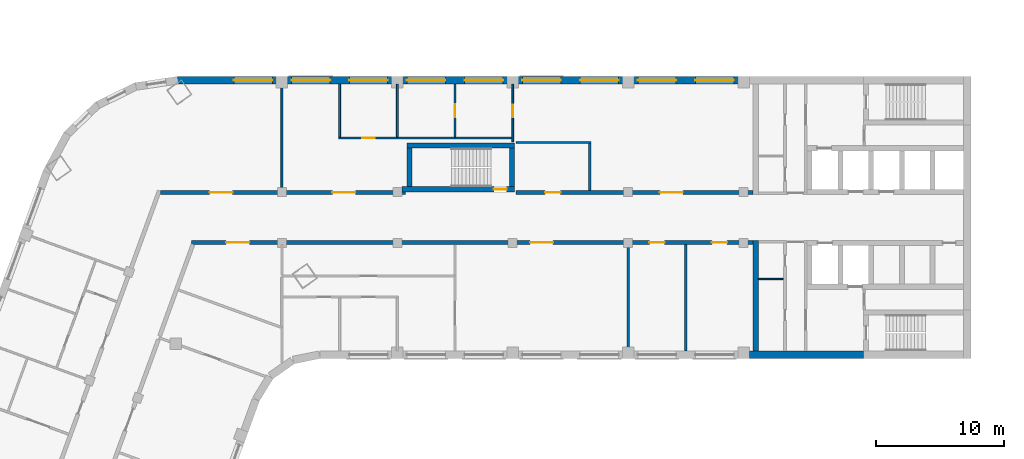
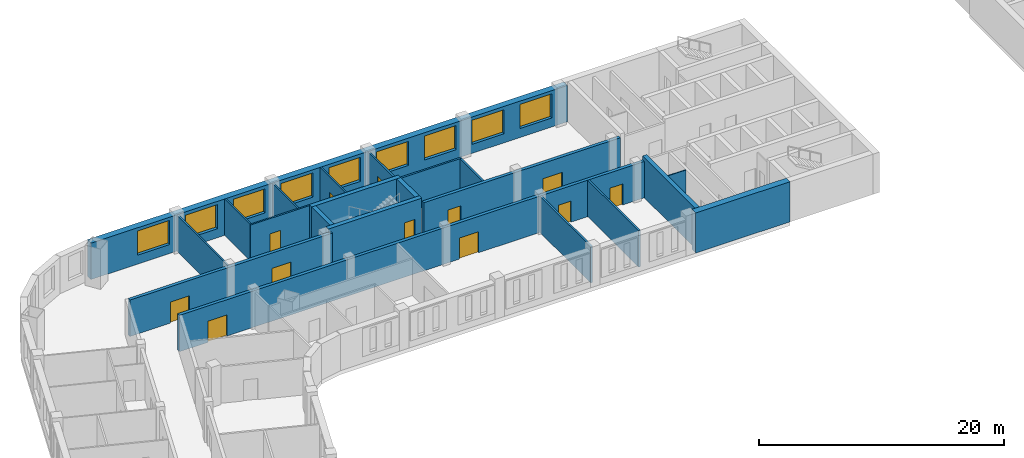
# One storey, part 5 of 12: 21 walls, 12 doors, 9 windows, 21 openings.
"""IFC4 building model written with IfcOpenShell, lengths in metres."""

from ifc_helpers import new_model, si_unit, direction, frame, frame_2d, origin, place, context, subcontext, project, spatial, rectangle, extrude, material, layer, layer_set, type_object, element, fill, save


model = new_model("IFC4")

# Units and contexts
model_context = context("Model", 3, precision=1e-05, world=origin(), true_north=direction((0.0, 1.0)))
body_context = subcontext(model_context, "Body", "Model", "MODEL_VIEW")
ifc_project = project(units=[si_unit("LENGTHUNIT", "METRE"), si_unit("AREAUNIT", "SQUARE_METRE"), si_unit("VOLUMEUNIT", "CUBIC_METRE"), si_unit("PLANEANGLEUNIT", "RADIAN"), si_unit("MASSUNIT", "GRAM", prefix="KILO")], contexts=[model_context])

# Site, building, storey
site_placement = place(None, origin())
site = spatial("IfcSite", under=ifc_project, at=site_placement, CompositionType="ELEMENT")
building_placement = place(site_placement, origin())
building = spatial("IfcBuilding", under=site, at=building_placement, Name="Skarvind Civic Tower", CompositionType="ELEMENT")
storey_placement = place(building_placement, frame((0.0, 0.0, 51.5)))
storey = spatial("IfcBuildingStorey", under=building, at=storey_placement, Name="L11", CompositionType="ELEMENT", Elevation=51.5)

# Walls
ifc_material_1 = material(Name="Acoustic gypsum board on steel studs", Category="steel")
ifc_layer_1 = layer(ifc_material_1, 0.175048828125)
ifc_layer_set_1 = layer_set([ifc_layer_1], Name="ACOUSTIC MEETING-ROOM PARTITION 175")
wall_type_1 = type_object("IfcWallType", Name="ACOUSTIC MEETING-ROOM PARTITION 175", PredefinedType="PARTITIONING", material=ifc_layer_set_1)
wall_1_placement = place(storey_placement, frame((72.5, 133.85009765625, 0.0), z_axis=(0.0, 0.0, 1.0), x_axis=(1.0, 0.0, 0.0)))
element("IfcWall", 1, at=wall_1_placement, inside=storey, type_object=wall_type_1, Name="Partition 11.039", PredefinedType="PARTITIONING", context=body_context, shape_type="SweptSolid", body=[
    extrude(rectangle(XDim=5.837890625, YDim=0.175048828125, at=frame_2d((2.9189453125, 0.0))), origin(), (0.0, 0.0, 1.0), 3.625),
])
wall_2_placement = place(storey_placement, frame((78.25, 133.761962890625, 0.0), z_axis=(0.0, 0.0, 1.0), x_axis=(0.0, -1.0, 0.0)))
element("IfcWall", 2, at=wall_2_placement, inside=storey, type_object=wall_type_1, Name="Partition 11.040", PredefinedType="PARTITIONING", context=body_context, shape_type="SweptSolid", body=[
    extrude(rectangle(XDim=3.661865234375, YDim=0.175048828125, at=frame_2d((1.8310546875, 0.0))), origin(), (0.0, 0.0, 1.0), 3.625),
])
for number, where, z_axis, x_axis, name in (
    (3, (81.25, 117.60009765625, 0.0), (0.0, 0.0, 1.0), (0.0, 1.0, 0.0), "Partition 11.041"),
    (4, (85.75, 117.60009765625, 0.0), (0.0, 0.0, 1.0), (0.0, 1.0, 0.0), "Partition 11.042"),
):
    element("IfcWall", number, at=place(storey_placement, frame(where, z_axis=z_axis, x_axis=x_axis)), inside=storey, type_object=wall_type_1, Name=name, PredefinedType="PARTITIONING", context=body_context, shape_type="SweptSolid", body=[
        extrude(rectangle(XDim=8.2998046875, YDim=0.175048828125, at=frame_2d((4.14990234375, 0.0))), origin(), (0.0, 0.0, 1.0), 3.625),
    ])

# Wall, openings, doors
ifc_material_2 = material(Name="Fire-rated gypsum board on steel studs", Category="steel")
ifc_layer_2 = layer(ifc_material_2, 0.300048828125)
ifc_layer_set_2 = layer_set([ifc_layer_2], Name="CORRIDOR WALL 300")
wall_type_2 = type_object("IfcWallType", Name="CORRIDOR WALL 300", PredefinedType="PARTITIONING", material=ifc_layer_set_2)
wall_3_placement = place(storey_placement, frame((44.784912109375, 129.949951171875, 0.0), z_axis=(0.0, 0.0, 1.0), x_axis=(1.0, 0.0, 0.0)))
wall_3 = element("IfcWall", 5, at=wall_3_placement, inside=storey, type_object=wall_type_2, Name="Partition 11.016", PredefinedType="PARTITIONING", context=body_context, shape_type="SweptSolid", body=[
    extrude(rectangle(XDim=19.114990234375, YDim=0.300048828125, at=frame_2d((9.5576171875, 0.0))), origin(), (0.0, 0.0, 1.0), 3.625),
])
opening_1_placement = place(wall_3_placement, frame((13.389892578125, 0.0, 0.0)))
opening_1 = element("IfcOpeningElement", 6, at=opening_1_placement, cuts=wall_3, Name="Opening L11-D004", PredefinedType="OPENING", context=body_context, shape_type="SweptSolid", body=[
    extrude(rectangle(XDim=1.800048828125, YDim=2.10009765625, at=frame_2d((0.89990234375, 1.050048828125))), frame((0.0, 0.159912109375, 0.0), z_axis=(0.0, -1.0, 0.0), x_axis=(1.0, 0.0, 0.0)), (0.0, 0.0, 1.0), 0.320068359375),
])
opening_2_placement = place(wall_3_placement, frame((3.822509765625, 0.0, 0.0)))
opening_2 = element("IfcOpeningElement", 7, at=opening_2_placement, cuts=wall_3, Name="Opening L11-D023", PredefinedType="OPENING", context=body_context, shape_type="SweptSolid", body=[
    extrude(rectangle(XDim=1.800048828125, YDim=2.10009765625, at=frame_2d((0.89990234375, 1.050048828125))), frame((0.0, 0.159912109375, 0.0), z_axis=(0.0, -1.0, 0.0), x_axis=(1.0, 0.0, 0.0)), (0.0, 0.0, 1.0), 0.320068359375),
])
ifc_material_3 = material(Name="Fire-rated timber door leaf", Category="wood")
door_type_1 = type_object("IfcDoorType", Name="FD4 1800x2100", OperationType="NOTDEFINED", PredefinedType="DOOR", material=ifc_material_3)
door_1_placement = place(opening_1_placement, origin())
door_1 = element("IfcDoor", 8, at=door_1_placement, inside=storey, type_object=door_type_1, Name="Door L11-D004", OperationType="DOUBLE_DOOR_SINGLE_SWING", OverallHeight=2.10009765625, OverallWidth=1.800048828125, PredefinedType="DOOR", context=body_context, shape_type="SweptSolid", body=[
    extrude(rectangle(XDim=1.800048828125, YDim=2.10009765625, at=frame_2d((0.89990234375, 1.050048828125))), frame((0.0, 0.02490234375, 0.0), z_axis=(0.0, -1.0, 0.0), x_axis=(1.0, 0.0, 0.0)), (0.0, 0.0, 1.0), 0.050048828125),
])
fill(opening_1, door_1)
door_2_placement = place(opening_2_placement, origin())
door_2 = element("IfcDoor", 9, at=door_2_placement, inside=storey, type_object=door_type_1, Name="Door L11-D023", OperationType="DOUBLE_DOOR_SINGLE_SWING", OverallHeight=2.10009765625, OverallWidth=1.800048828125, PredefinedType="DOOR", context=body_context, shape_type="SweptSolid", body=[
    extrude(rectangle(XDim=1.800048828125, YDim=2.10009765625, at=frame_2d((0.89990234375, 1.050048828125))), frame((0.0, 0.02490234375, 0.0), z_axis=(0.0, -1.0, 0.0), x_axis=(1.0, 0.0, 0.0)), (0.0, 0.0, 1.0), 0.050048828125),
])
fill(opening_2, door_2)

wall_4_placement = place(storey_placement, frame((72.5, 129.949951171875, 0.0), z_axis=(0.0, 0.0, 1.0), x_axis=(1.0, 0.0, 0.0)))
wall_4 = element("IfcWall", 10, at=wall_4_placement, inside=storey, type_object=wall_type_2, Name="Partition 11.038", PredefinedType="PARTITIONING", context=body_context, shape_type="SweptSolid", body=[
    extrude(rectangle(XDim=18.5, YDim=0.300048828125, at=frame_2d((9.25, 0.0))), origin(), (0.0, 0.0, 1.0), 3.625),
])
opening_3_placement = place(wall_4_placement, frame((2.27490234375, 0.0, 0.0)))
opening_3 = element("IfcOpeningElement", 11, at=opening_3_placement, cuts=wall_4, Name="Opening L11-D001", PredefinedType="OPENING", context=body_context, shape_type="SweptSolid", body=[
    extrude(rectangle(XDim=1.199951171875, YDim=2.10009765625, at=frame_2d((0.60009765625, 1.050048828125))), frame((0.0, 0.159912109375, 0.0), z_axis=(0.0, -1.0, 0.0), x_axis=(1.0, 0.0, 0.0)), (0.0, 0.0, 1.0), 0.320068359375),
])
opening_4_placement = place(wall_4_placement, frame((11.22509765625, 0.0, 0.0)))
opening_4 = element("IfcOpeningElement", 12, at=opening_4_placement, cuts=wall_4, Name="Opening L11-D002", PredefinedType="OPENING", context=body_context, shape_type="SweptSolid", body=[
    extrude(rectangle(XDim=1.800048828125, YDim=2.10009765625, at=frame_2d((0.89990234375, 1.050048828125))), frame((0.0, 0.159912109375, 0.0), z_axis=(0.0, -1.0, 0.0), x_axis=(1.0, 0.0, 0.0)), (0.0, 0.0, 1.0), 0.320068359375),
])
door_3_placement = place(opening_4_placement, origin())
door_3 = element("IfcDoor", 13, at=door_3_placement, inside=storey, type_object=door_type_1, Name="Door L11-D002", OperationType="DOUBLE_DOOR_SINGLE_SWING", OverallHeight=2.10009765625, OverallWidth=1.800048828125, PredefinedType="DOOR", context=body_context, shape_type="SweptSolid", body=[
    extrude(rectangle(XDim=1.800048828125, YDim=2.10009765625, at=frame_2d((0.89990234375, 1.050048828125))), frame((0.0, 0.02490234375, 0.0), z_axis=(0.0, -1.0, 0.0), x_axis=(1.0, 0.0, 0.0)), (0.0, 0.0, 1.0), 0.050048828125),
])
fill(opening_4, door_3)
door_type_2 = type_object("IfcDoorType", Name="FD6 1200x2100 DOUBLE", OperationType="NOTDEFINED", PredefinedType="DOOR", material=ifc_material_3)
door_4_placement = place(opening_3_placement, origin())
door_4 = element("IfcDoor", 14, at=door_4_placement, inside=storey, type_object=door_type_2, Name="Door L11-D001", OperationType="DOUBLE_DOOR_SINGLE_SWING", OverallHeight=2.10009765625, OverallWidth=1.199951171875, PredefinedType="DOOR", context=body_context, shape_type="SweptSolid", body=[
    extrude(rectangle(XDim=1.199951171875, YDim=2.10009765625, at=frame_2d((0.60009765625, 1.050048828125))), frame((0.0, 0.02490234375, 0.0), z_axis=(0.0, -1.0, 0.0), x_axis=(1.0, 0.0, 0.0)), (0.0, 0.0, 1.0), 0.050048828125),
])
fill(opening_3, door_4)

wall_5_placement = place(storey_placement, frame((91.0, 126.050048828125, 0.0), z_axis=(0.0, 0.0, 1.0), x_axis=(-1.0, 0.0, 0.0)))
wall_5 = element("IfcWall", 15, at=wall_5_placement, inside=storey, type_object=wall_type_2, Name="Partition 11.043", PredefinedType="PARTITIONING", context=body_context, shape_type="SweptSolid", body=[
    extrude(rectangle(XDim=43.784912109375, YDim=0.300048828125, at=frame_2d((21.892578125, 0.0))), origin(), (0.0, 0.0, 1.0), 3.625),
])
opening_5_placement = place(wall_5_placement, frame((2.02490234375, 0.0, 0.0)))
opening_5 = element("IfcOpeningElement", 16, at=opening_5_placement, cuts=wall_5, Name="Opening L11-D005", PredefinedType="OPENING", context=body_context, shape_type="SweptSolid", body=[
    extrude(rectangle(XDim=1.199951171875, YDim=2.10009765625, at=frame_2d((0.60009765625, 1.050048828125))), frame((0.0, 0.159912109375, 0.0), z_axis=(0.0, -1.0, 0.0), x_axis=(1.0, 0.0, 0.0)), (0.0, 0.0, 1.0), 0.320068359375),
])
opening_6_placement = place(wall_5_placement, frame((6.89990234375, 0.0, 0.0)))
opening_6 = element("IfcOpeningElement", 17, at=opening_6_placement, cuts=wall_5, Name="Opening L11-D006", PredefinedType="OPENING", context=body_context, shape_type="SweptSolid", body=[
    extrude(rectangle(XDim=1.199951171875, YDim=2.10009765625, at=frame_2d((0.60009765625, 1.050048828125))), frame((0.0, 0.159912109375, 0.0), z_axis=(0.0, -1.0, 0.0), x_axis=(1.0, 0.0, 0.0)), (0.0, 0.0, 1.0), 0.320068359375),
])
opening_7_placement = place(wall_5_placement, frame((15.60009765625, 0.0, 0.0)))
opening_7 = element("IfcOpeningElement", 18, at=opening_7_placement, cuts=wall_5, Name="Opening L11-D007", PredefinedType="OPENING", context=body_context, shape_type="SweptSolid", body=[
    extrude(rectangle(XDim=1.800048828125, YDim=2.10009765625, at=frame_2d((0.89990234375, 1.050048828125))), frame((0.0, 0.159912109375, 0.0), z_axis=(0.0, -1.0, 0.0), x_axis=(1.0, 0.0, 0.0)), (0.0, 0.0, 1.0), 0.320068359375),
])
opening_8_placement = place(wall_5_placement, frame((39.2958984375, 0.0, 0.0)))
opening_8 = element("IfcOpeningElement", 19, at=opening_8_placement, cuts=wall_5, Name="Opening L11-D024", PredefinedType="OPENING", context=body_context, shape_type="SweptSolid", body=[
    extrude(rectangle(XDim=1.800048828125, YDim=2.10009765625, at=frame_2d((0.89990234375, 1.050048828125))), frame((0.0, 0.159912109375, 0.0), z_axis=(0.0, -1.0, 0.0), x_axis=(1.0, 0.0, 0.0)), (0.0, 0.0, 1.0), 0.320068359375),
])
door_5_placement = place(opening_7_placement, origin())
door_5 = element("IfcDoor", 20, at=door_5_placement, inside=storey, type_object=door_type_1, Name="Door L11-D007", OperationType="DOUBLE_DOOR_SINGLE_SWING", OverallHeight=2.10009765625, OverallWidth=1.800048828125, PredefinedType="DOOR", context=body_context, shape_type="SweptSolid", body=[
    extrude(rectangle(XDim=1.800048828125, YDim=2.10009765625, at=frame_2d((0.89990234375, 1.050048828125))), frame((0.0, 0.02490234375, 0.0), z_axis=(0.0, -1.0, 0.0), x_axis=(1.0, 0.0, 0.0)), (0.0, 0.0, 1.0), 0.050048828125),
])
fill(opening_7, door_5)
door_6_placement = place(opening_8_placement, origin())
door_6 = element("IfcDoor", 21, at=door_6_placement, inside=storey, type_object=door_type_1, Name="Door L11-D024", OperationType="DOUBLE_DOOR_SINGLE_SWING", OverallHeight=2.10009765625, OverallWidth=1.800048828125, PredefinedType="DOOR", context=body_context, shape_type="SweptSolid", body=[
    extrude(rectangle(XDim=1.800048828125, YDim=2.10009765625, at=frame_2d((0.89990234375, 1.050048828125))), frame((0.0, 0.02490234375, 0.0), z_axis=(0.0, -1.0, 0.0), x_axis=(1.0, 0.0, 0.0)), (0.0, 0.0, 1.0), 0.050048828125),
])
fill(opening_8, door_6)
door_7_placement = place(opening_5_placement, origin())
door_7 = element("IfcDoor", 22, at=door_7_placement, inside=storey, type_object=door_type_2, Name="Door L11-D005", OperationType="DOUBLE_DOOR_SINGLE_SWING", OverallHeight=2.10009765625, OverallWidth=1.199951171875, PredefinedType="DOOR", context=body_context, shape_type="SweptSolid", body=[
    extrude(rectangle(XDim=1.199951171875, YDim=2.10009765625, at=frame_2d((0.60009765625, 1.050048828125))), frame((0.0, 0.02490234375, 0.0), z_axis=(0.0, -1.0, 0.0), x_axis=(1.0, 0.0, 0.0)), (0.0, 0.0, 1.0), 0.050048828125),
])
fill(opening_5, door_7)
door_8_placement = place(opening_6_placement, origin())
door_8 = element("IfcDoor", 23, at=door_8_placement, inside=storey, type_object=door_type_2, Name="Door L11-D006", OperationType="DOUBLE_DOOR_SINGLE_SWING", OverallHeight=2.10009765625, OverallWidth=1.199951171875, PredefinedType="DOOR", context=body_context, shape_type="SweptSolid", body=[
    extrude(rectangle(XDim=1.199951171875, YDim=2.10009765625, at=frame_2d((0.60009765625, 1.050048828125))), frame((0.0, 0.02490234375, 0.0), z_axis=(0.0, -1.0, 0.0), x_axis=(1.0, 0.0, 0.0)), (0.0, 0.0, 1.0), 0.050048828125),
])
fill(opening_6, door_8)

# Walls
ifc_material_4 = material(Name="Fire-rated plasterboard partition")
ifc_layer_3 = layer(ifc_material_4, 0.10009765625)
ifc_layer_set_3 = layer_set([ifc_layer_3], Name="Core partition wall 100")
wall_type_3 = type_object("IfcWallType", Name="Core partition wall 100", PredefinedType="PARTITIONING", material=ifc_layer_set_3)
wall_6_placement = place(storey_placement, frame((93.35009765625, 123.199951171875, 0.0), z_axis=(0.0, 0.0, 1.0), x_axis=(-1.0, 0.0, 0.0)))
element("IfcWall", 24, at=wall_6_placement, inside=storey, type_object=wall_type_3, Name="Core wall C1", PredefinedType="PARTITIONING", context=body_context, shape_type="SweptSolid", body=[
    extrude(rectangle(XDim=1.9501953125, YDim=0.10009765625, at=frame_2d((0.97509765625, 0.0))), origin(), (0.0, 0.0, 1.0), 3.625),
])
ifc_material_5 = material(Name="Concrete C80", Category="concrete")
ifc_layer_4 = layer(ifc_material_5, 0.39990234375)
ifc_layer_set_4 = layer_set([ifc_layer_4], Name="Core wall 400 C80")
wall_type_4 = type_object("IfcWallType", Name="Core wall 400 C80", PredefinedType="SHEAR", material=ifc_layer_set_4)
wall_7_placement = place(storey_placement, frame((91.199951171875, 126.199951171875, 0.0), z_axis=(0.0, 0.0, 1.0), x_axis=(0.0, -1.0, 0.0)))
element("IfcWall", 25, at=wall_7_placement, inside=storey, type_object=wall_type_4, Name="Core wall C1 north inner face L11", PredefinedType="SHEAR", context=body_context, shape_type="SweptSolid", body=[
    extrude(rectangle(XDim=8.599853515625, YDim=0.39990234375, at=frame_2d((4.2998046875, 0.0))), origin(), (0.0, 0.0, 1.0), 4.0),
])

# Wall, opening, door
wall_8_placement = place(storey_placement, frame((63.60009765625, 130.199951171875, 0.0), z_axis=(0.0, 0.0, 1.0), x_axis=(1.0, 0.0, 0.0)))
wall_8 = element("IfcWall", 26, at=wall_8_placement, inside=storey, type_object=wall_type_4, Name="Core wall CM inner L11", PredefinedType="SHEAR", context=body_context, shape_type="SweptSolid", body=[
    extrude(rectangle(XDim=8.7998046875, YDim=0.39990234375, at=frame_2d((4.39990234375, 0.0))), origin(), (0.0, 0.0, 1.0), 4.0),
])
opening_9_placement = place(wall_8_placement, frame((7.175048828125, 0.0, 0.0)))
opening_9 = element("IfcOpeningElement", 27, at=opening_9_placement, cuts=wall_8, Name="Opening D-L11-CM-01", PredefinedType="OPENING", context=body_context, shape_type="SweptSolid", body=[
    extrude(rectangle(XDim=1.0, YDim=2.10009765625, at=frame_2d((0.5, 1.050048828125))), frame((0.0, 0.2099609375, 0.0), z_axis=(0.0, -1.0, 0.0), x_axis=(1.0, 0.0, 0.0)), (0.0, 0.0, 1.0), 0.419921875),
])
ifc_material_6 = material(Name="Fire-rated steel door", Category="steel")
door_type_3 = type_object("IfcDoorType", Name="Fire door 1000", OperationType="NOTDEFINED", PredefinedType="DOOR", material=ifc_material_6)
door_9_placement = place(opening_9_placement, origin())
door_9 = element("IfcDoor", 28, at=door_9_placement, inside=storey, type_object=door_type_3, Name="Fire door", OperationType="SINGLE_SWING_LEFT", OverallHeight=2.10009765625, OverallWidth=1.0, PredefinedType="DOOR", context=body_context, shape_type="SweptSolid", body=[
    extrude(rectangle(XDim=1.0, YDim=2.10009765625, at=frame_2d((0.5, 1.050048828125))), frame((0.0, 0.02490234375, 0.0), z_axis=(0.0, -1.0, 0.0), x_axis=(1.0, 0.0, 0.0)), (0.0, 0.0, 1.0), 0.050048828125),
])
fill(opening_9, door_9)

# Walls
wall_9_placement = place(storey_placement, frame((64.0, 133.60009765625, 0.0), z_axis=(0.0, 0.0, 1.0), x_axis=(1.0, 0.0, 0.0)))
element("IfcWall", 29, at=wall_9_placement, inside=storey, type_object=wall_type_4, Name="Core wall CM outer L11", PredefinedType="SHEAR", context=body_context, shape_type="SweptSolid", body=[
    extrude(rectangle(XDim=8.39990234375, YDim=0.39990234375, at=frame_2d((4.199951171875, 0.0))), origin(), (0.0, 0.0, 1.0), 4.0),
])
for number, where, z_axis, x_axis, name in (
    (30, (64.199951171875, 130.39990234375, 0.0), (0.0, 0.0, 1.0), (0.0, 1.0, 0.0), "Core wall CM west L11"),
    (31, (72.199951171875, 130.39990234375, 0.0), (0.0, 0.0, 1.0), (0.0, 1.0, 0.0), "Core wall CM end L11"),
):
    element("IfcWall", number, at=place(storey_placement, frame(where, z_axis=z_axis, x_axis=x_axis)), inside=storey, type_object=wall_type_4, Name=name, PredefinedType="SHEAR", context=body_context, shape_type="SweptSolid", body=[
        extrude(rectangle(XDim=3.0, YDim=0.39990234375, at=frame_2d((1.5, 0.0))), origin(), (0.0, 0.0, 1.0), 4.0),
    ])
ifc_layer_5 = layer(ifc_material_5, 0.60009765625)
ifc_layer_set_5 = layer_set([ifc_layer_5], Name="Core wall 600 C80")
wall_type_5 = type_object("IfcWallType", Name="Core wall 600 C80", PredefinedType="SHEAR", material=ifc_layer_set_5)
wall_10_placement = place(storey_placement, frame((99.60009765625, 117.300048828125, 0.0), z_axis=(0.0, 0.0, 1.0), x_axis=(-1.0, 0.0, 0.0)))
element("IfcWall", 32, at=wall_10_placement, inside=storey, type_object=wall_type_5, Name="Core wall C1 north side L11", PredefinedType="SHEAR", context=body_context, shape_type="SweptSolid", body=[
    extrude(rectangle(XDim=8.900146484375, YDim=0.60009765625, at=frame_2d((4.4501953125, 0.0))), origin(), (0.0, 0.0, 1.0), 4.0),
])
ifc_material_7 = material(Name="Plasterboard partition on steel studs", Category="steel")
ifc_layer_6 = layer(ifc_material_7, 0.14990234375)
ifc_layer_set_6 = layer_set([ifc_layer_6], Name="PARTITION 150")
wall_type_6 = type_object("IfcWallType", Name="PARTITION 150", PredefinedType="PARTITIONING", material=ifc_layer_set_6)
wall_11_placement = place(storey_placement, frame((54.25, 138.39990234375, 0.0), z_axis=(0.0, 0.0, 1.0), x_axis=(0.0, -1.0, 0.0)))
element("IfcWall", 33, at=wall_11_placement, inside=storey, type_object=wall_type_6, Name="Partition 11.028", PredefinedType="PARTITIONING", context=body_context, shape_type="SweptSolid", body=[
    extrude(rectangle(XDim=8.2998046875, YDim=0.14990234375, at=frame_2d((4.14990234375, 0.0))), origin(), (0.0, 0.0, 1.0), 3.625),
])

# Wall, opening, door
wall_12_placement = place(storey_placement, frame((72.175048828125, 134.199951171875, 0.0), z_axis=(0.0, 0.0, 1.0), x_axis=(-1.0, 0.0, 0.0)))
wall_12 = element("IfcWall", 34, at=wall_12_placement, inside=storey, type_object=wall_type_6, Name="Partition 11.030", PredefinedType="PARTITIONING", context=body_context, shape_type="SweptSolid", body=[
    extrude(rectangle(XDim=13.5, YDim=0.14990234375, at=frame_2d((6.75, 0.0))), origin(), (0.0, 0.0, 1.0), 3.625),
])
opening_10_placement = place(wall_12_placement, frame((10.675048828125, 0.0, 0.0)))
opening_10 = element("IfcOpeningElement", 35, at=opening_10_placement, cuts=wall_12, Name="Opening L11-D003", PredefinedType="OPENING", context=body_context, shape_type="SweptSolid", body=[
    extrude(rectangle(XDim=1.0, YDim=2.10009765625, at=frame_2d((0.5, 1.050048828125))), frame((0.0, 0.0849609375, 0.0), z_axis=(0.0, -1.0, 0.0), x_axis=(1.0, 0.0, 0.0)), (0.0, 0.0, 1.0), 0.169921875),
])
ifc_material_8 = material(Name="Timber door leaf", Category="wood")
door_type_4 = type_object("IfcDoorType", Name="D1 1000x2100", OperationType="NOTDEFINED", PredefinedType="DOOR", material=ifc_material_8)
door_10_placement = place(opening_10_placement, origin())
door_10 = element("IfcDoor", 36, at=door_10_placement, inside=storey, type_object=door_type_4, Name="Door L11-D003", OperationType="SINGLE_SWING_LEFT", OverallHeight=2.10009765625, OverallWidth=1.0, PredefinedType="DOOR", context=body_context, shape_type="SweptSolid", body=[
    extrude(rectangle(XDim=1.0, YDim=2.10009765625, at=frame_2d((0.5, 1.050048828125))), frame((0.0, 0.02490234375, 0.0), z_axis=(0.0, -1.0, 0.0), x_axis=(1.0, 0.0, 0.0)), (0.0, 0.0, 1.0), 0.050048828125),
])
fill(opening_10, door_10)

# Walls
for number, where, z_axis, x_axis, name in (
    (37, (58.75, 134.27490234375, 0.0), (0.0, 0.0, 1.0), (0.0, 1.0, 0.0), "Partition 11.031"),
    (38, (63.25, 134.27490234375, 0.0), (0.0, 0.0, 1.0), (0.0, 1.0, 0.0), "Partition 11.033"),
):
    element("IfcWall", number, at=place(storey_placement, frame(where, z_axis=z_axis, x_axis=x_axis)), inside=storey, type_object=wall_type_6, Name=name, PredefinedType="PARTITIONING", context=body_context, shape_type="SweptSolid", body=[
        extrude(rectangle(XDim=4.125, YDim=0.14990234375, at=frame_2d((2.0625, 0.0))), origin(), (0.0, 0.0, 1.0), 3.625),
    ])

# Wall, opening, door
wall_13_placement = place(storey_placement, frame((67.75, 134.27490234375, 0.0), z_axis=(0.0, 0.0, 1.0), x_axis=(0.0, 1.0, 0.0)))
wall_13 = element("IfcWall", 39, at=wall_13_placement, inside=storey, type_object=wall_type_6, Name="Partition 11.036", PredefinedType="PARTITIONING", context=body_context, shape_type="SweptSolid", body=[
    extrude(rectangle(XDim=4.125, YDim=0.14990234375, at=frame_2d((2.0625, 0.0))), origin(), (0.0, 0.0, 1.0), 3.625),
])
opening_11_placement = place(wall_13_placement, frame((1.552490234375, 0.0, 0.0)))
opening_11 = element("IfcOpeningElement", 40, at=opening_11_placement, cuts=wall_13, Name="Opening L11-D028", PredefinedType="OPENING", context=body_context, shape_type="SweptSolid", body=[
    extrude(rectangle(XDim=1.0, YDim=2.10009765625, at=frame_2d((0.5, 1.050048828125))), frame((0.0, 0.0849609375, 0.0), z_axis=(0.0, -1.0, 0.0), x_axis=(1.0, 0.0, 0.0)), (0.0, 0.0, 1.0), 0.169921875),
])
door_11_placement = place(opening_11_placement, origin())
door_11 = element("IfcDoor", 41, at=door_11_placement, inside=storey, type_object=door_type_4, Name="Door L11-D028", OperationType="SINGLE_SWING_LEFT", OverallHeight=2.10009765625, OverallWidth=1.0, PredefinedType="DOOR", context=body_context, shape_type="SweptSolid", body=[
    extrude(rectangle(XDim=1.0, YDim=2.10009765625, at=frame_2d((0.5, 1.050048828125))), frame((0.0, 0.02490234375, 0.0), z_axis=(0.0, -1.0, 0.0), x_axis=(1.0, 0.0, 0.0)), (0.0, 0.0, 1.0), 0.050048828125),
])
fill(opening_11, door_11)

wall_14_placement = place(storey_placement, frame((72.25, 133.89990234375, 0.0), z_axis=(0.0, 0.0, 1.0), x_axis=(0.0, 1.0, 0.0)))
wall_14 = element("IfcWall", 42, at=wall_14_placement, inside=storey, type_object=wall_type_6, Name="Partition 11.037", PredefinedType="PARTITIONING", context=body_context, shape_type="SweptSolid", body=[
    extrude(rectangle(XDim=4.5, YDim=0.14990234375, at=frame_2d((2.25, 0.0))), origin(), (0.0, 0.0, 1.0), 3.625),
])
opening_12_placement = place(wall_14_placement, frame((1.89990234375, 0.0, 0.0)))
opening_12 = element("IfcOpeningElement", 43, at=opening_12_placement, cuts=wall_14, Name="Opening L11-D027", PredefinedType="OPENING", context=body_context, shape_type="SweptSolid", body=[
    extrude(rectangle(XDim=1.0, YDim=2.10009765625, at=frame_2d((0.5, 1.050048828125))), frame((0.0, 0.0849609375, 0.0), z_axis=(0.0, -1.0, 0.0), x_axis=(1.0, 0.0, 0.0)), (0.0, 0.0, 1.0), 0.169921875),
])
door_12_placement = place(opening_12_placement, origin())
door_12 = element("IfcDoor", 44, at=door_12_placement, inside=storey, type_object=door_type_4, Name="Door L11-D027", OperationType="SINGLE_SWING_LEFT", OverallHeight=2.10009765625, OverallWidth=1.0, PredefinedType="DOOR", context=body_context, shape_type="SweptSolid", body=[
    extrude(rectangle(XDim=1.0, YDim=2.10009765625, at=frame_2d((0.5, 1.050048828125))), frame((0.0, 0.02490234375, 0.0), z_axis=(0.0, -1.0, 0.0), x_axis=(1.0, 0.0, 0.0)), (0.0, 0.0, 1.0), 0.050048828125),
])
fill(opening_12, door_12)

# Wall, openings, windows
ifc_material_9 = material(Name="Limestone masonry cladding on insulated backing", Category="masonry")
ifc_layer_7 = layer(ifc_material_9, 0.60009765625)
ifc_layer_set_7 = layer_set([ifc_layer_7], Name="WX1 STONE FACADE WALL 600")
wall_type_7 = type_object("IfcWallType", Name="WX1 STONE FACADE WALL 600", PredefinedType="SOLIDWALL", material=ifc_layer_set_7)
wall_15_placement = place(storey_placement, frame((46.095458984375, 138.699951171875, 0.0), z_axis=(0.0, 0.0, 1.0), x_axis=(1.0, 0.0, 0.0)))
wall_15 = element("IfcWall", 45, at=wall_15_placement, inside=storey, type_object=wall_type_7, Name="STONE FACADE WALL", PredefinedType="SOLIDWALL", context=body_context, shape_type="SweptSolid", body=[
    extrude(rectangle(XDim=44.884521484375, YDim=0.60009765625, at=frame_2d((22.4423828125, 0.0))), origin(), (0.0, 0.0, 1.0), 3.625),
])
opening_13_placement = place(wall_15_placement, frame((4.404541015625, 0.0, 0.89990234375)))
opening_13 = element("IfcOpeningElement", 46, at=opening_13_placement, cuts=wall_15, Name="Opening WN1", PredefinedType="OPENING", context=body_context, shape_type="SweptSolid", body=[
    extrude(rectangle(XDim=3.0, YDim=2.39990234375, at=frame_2d((1.5, 1.199951171875))), frame((0.0, 0.31005859375, 0.0), z_axis=(0.0, -1.0, 0.0), x_axis=(1.0, 0.0, 0.0)), (0.0, 0.0, 1.0), 0.6201171875),
])
opening_14_placement = place(wall_15_placement, frame((8.904541015625, 0.0, 0.89990234375)))
opening_14 = element("IfcOpeningElement", 47, at=opening_14_placement, cuts=wall_15, Name="Opening WN1", PredefinedType="OPENING", context=body_context, shape_type="SweptSolid", body=[
    extrude(rectangle(XDim=3.0, YDim=2.39990234375, at=frame_2d((1.5, 1.199951171875))), frame((0.0, 0.31005859375, 0.0), z_axis=(0.0, -1.0, 0.0), x_axis=(1.0, 0.0, 0.0)), (0.0, 0.0, 1.0), 0.6201171875),
])
opening_15_placement = place(wall_15_placement, frame((13.404541015625, 0.0, 0.89990234375)))
opening_15 = element("IfcOpeningElement", 48, at=opening_15_placement, cuts=wall_15, Name="Opening WN1", PredefinedType="OPENING", context=body_context, shape_type="SweptSolid", body=[
    extrude(rectangle(XDim=3.0, YDim=2.39990234375, at=frame_2d((1.5, 1.199951171875))), frame((0.0, 0.31005859375, 0.0), z_axis=(0.0, -1.0, 0.0), x_axis=(1.0, 0.0, 0.0)), (0.0, 0.0, 1.0), 0.6201171875),
])
opening_16_placement = place(wall_15_placement, frame((17.904541015625, 0.0, 0.89990234375)))
opening_16 = element("IfcOpeningElement", 49, at=opening_16_placement, cuts=wall_15, Name="Opening WN1", PredefinedType="OPENING", context=body_context, shape_type="SweptSolid", body=[
    extrude(rectangle(XDim=3.0, YDim=2.39990234375, at=frame_2d((1.5, 1.199951171875))), frame((0.0, 0.31005859375, 0.0), z_axis=(0.0, -1.0, 0.0), x_axis=(1.0, 0.0, 0.0)), (0.0, 0.0, 1.0), 0.6201171875),
])
opening_17_placement = place(wall_15_placement, frame((22.404541015625, 0.0, 0.89990234375)))
opening_17 = element("IfcOpeningElement", 50, at=opening_17_placement, cuts=wall_15, Name="Opening WN1", PredefinedType="OPENING", context=body_context, shape_type="SweptSolid", body=[
    extrude(rectangle(XDim=3.0, YDim=2.39990234375, at=frame_2d((1.5, 1.199951171875))), frame((0.0, 0.31005859375, 0.0), z_axis=(0.0, -1.0, 0.0), x_axis=(1.0, 0.0, 0.0)), (0.0, 0.0, 1.0), 0.6201171875),
])
opening_18_placement = place(wall_15_placement, frame((26.904541015625, 0.0, 0.89990234375)))
opening_18 = element("IfcOpeningElement", 51, at=opening_18_placement, cuts=wall_15, Name="Opening WN1", PredefinedType="OPENING", context=body_context, shape_type="SweptSolid", body=[
    extrude(rectangle(XDim=3.0, YDim=2.39990234375, at=frame_2d((1.5, 1.199951171875))), frame((0.0, 0.31005859375, 0.0), z_axis=(0.0, -1.0, 0.0), x_axis=(1.0, 0.0, 0.0)), (0.0, 0.0, 1.0), 0.6201171875),
])
opening_19_placement = place(wall_15_placement, frame((31.404541015625, 0.0, 0.89990234375)))
opening_19 = element("IfcOpeningElement", 52, at=opening_19_placement, cuts=wall_15, Name="Opening WN1", PredefinedType="OPENING", context=body_context, shape_type="SweptSolid", body=[
    extrude(rectangle(XDim=3.0, YDim=2.39990234375, at=frame_2d((1.5, 1.199951171875))), frame((0.0, 0.31005859375, 0.0), z_axis=(0.0, -1.0, 0.0), x_axis=(1.0, 0.0, 0.0)), (0.0, 0.0, 1.0), 0.6201171875),
])
opening_20_placement = place(wall_15_placement, frame((35.904541015625, 0.0, 0.89990234375)))
opening_20 = element("IfcOpeningElement", 53, at=opening_20_placement, cuts=wall_15, Name="Opening WN1", PredefinedType="OPENING", context=body_context, shape_type="SweptSolid", body=[
    extrude(rectangle(XDim=3.0, YDim=2.39990234375, at=frame_2d((1.5, 1.199951171875))), frame((0.0, 0.31005859375, 0.0), z_axis=(0.0, -1.0, 0.0), x_axis=(1.0, 0.0, 0.0)), (0.0, 0.0, 1.0), 0.6201171875),
])
opening_21_placement = place(wall_15_placement, frame((40.404541015625, 0.0, 0.89990234375)))
opening_21 = element("IfcOpeningElement", 54, at=opening_21_placement, cuts=wall_15, Name="Opening WN1", PredefinedType="OPENING", context=body_context, shape_type="SweptSolid", body=[
    extrude(rectangle(XDim=3.0, YDim=2.39990234375, at=frame_2d((1.5, 1.199951171875))), frame((0.0, 0.31005859375, 0.0), z_axis=(0.0, -1.0, 0.0), x_axis=(1.0, 0.0, 0.0)), (0.0, 0.0, 1.0), 0.6201171875),
])
ifc_material_10 = material(Name="Timber frame, double glazing, timber-lined reveal", Category="wood")
window_type = type_object("IfcWindowType", Name="WN1 PUNCHED STONE WINDOW 3000 x 2400", PartitioningType="SINGLE_PANEL", PredefinedType="WINDOW", material=ifc_material_10)
window_1_placement = place(opening_13_placement, origin())
window_1 = element("IfcWindow", 55, at=window_1_placement, inside=storey, type_object=window_type, Name="WN1 WINDOW", OverallHeight=2.39990234375, OverallWidth=3.0, PartitioningType="SINGLE_PANEL", PredefinedType="WINDOW", context=body_context, shape_type="SweptSolid", body=[
    extrude(rectangle(XDim=3.0, YDim=2.39990234375, at=frame_2d((1.5, 1.199951171875))), frame((0.0, 0.030029296875, 0.0), z_axis=(0.0, -1.0, 0.0), x_axis=(1.0, 0.0, 0.0)), (0.0, 0.0, 1.0), 0.06005859375),
])
fill(opening_13, window_1)
window_2_placement = place(opening_14_placement, origin())
window_2 = element("IfcWindow", 56, at=window_2_placement, inside=storey, type_object=window_type, Name="WN1 WINDOW", OverallHeight=2.39990234375, OverallWidth=3.0, PartitioningType="SINGLE_PANEL", PredefinedType="WINDOW", context=body_context, shape_type="SweptSolid", body=[
    extrude(rectangle(XDim=3.0, YDim=2.39990234375, at=frame_2d((1.5, 1.199951171875))), frame((0.0, 0.030029296875, 0.0), z_axis=(0.0, -1.0, 0.0), x_axis=(1.0, 0.0, 0.0)), (0.0, 0.0, 1.0), 0.06005859375),
])
fill(opening_14, window_2)
window_3_placement = place(opening_15_placement, origin())
window_3 = element("IfcWindow", 57, at=window_3_placement, inside=storey, type_object=window_type, Name="WN1 WINDOW", OverallHeight=2.39990234375, OverallWidth=3.0, PartitioningType="SINGLE_PANEL", PredefinedType="WINDOW", context=body_context, shape_type="SweptSolid", body=[
    extrude(rectangle(XDim=3.0, YDim=2.39990234375, at=frame_2d((1.5, 1.199951171875))), frame((0.0, 0.030029296875, 0.0), z_axis=(0.0, -1.0, 0.0), x_axis=(1.0, 0.0, 0.0)), (0.0, 0.0, 1.0), 0.06005859375),
])
fill(opening_15, window_3)
window_4_placement = place(opening_16_placement, origin())
window_4 = element("IfcWindow", 58, at=window_4_placement, inside=storey, type_object=window_type, Name="WN1 WINDOW", OverallHeight=2.39990234375, OverallWidth=3.0, PartitioningType="SINGLE_PANEL", PredefinedType="WINDOW", context=body_context, shape_type="SweptSolid", body=[
    extrude(rectangle(XDim=3.0, YDim=2.39990234375, at=frame_2d((1.5, 1.199951171875))), frame((0.0, 0.030029296875, 0.0), z_axis=(0.0, -1.0, 0.0), x_axis=(1.0, 0.0, 0.0)), (0.0, 0.0, 1.0), 0.06005859375),
])
fill(opening_16, window_4)
window_5_placement = place(opening_17_placement, origin())
window_5 = element("IfcWindow", 59, at=window_5_placement, inside=storey, type_object=window_type, Name="WN1 WINDOW", OverallHeight=2.39990234375, OverallWidth=3.0, PartitioningType="SINGLE_PANEL", PredefinedType="WINDOW", context=body_context, shape_type="SweptSolid", body=[
    extrude(rectangle(XDim=3.0, YDim=2.39990234375, at=frame_2d((1.5, 1.199951171875))), frame((0.0, 0.030029296875, 0.0), z_axis=(0.0, -1.0, 0.0), x_axis=(1.0, 0.0, 0.0)), (0.0, 0.0, 1.0), 0.06005859375),
])
fill(opening_17, window_5)
window_6_placement = place(opening_18_placement, origin())
window_6 = element("IfcWindow", 60, at=window_6_placement, inside=storey, type_object=window_type, Name="WN1 WINDOW", OverallHeight=2.39990234375, OverallWidth=3.0, PartitioningType="SINGLE_PANEL", PredefinedType="WINDOW", context=body_context, shape_type="SweptSolid", body=[
    extrude(rectangle(XDim=3.0, YDim=2.39990234375, at=frame_2d((1.5, 1.199951171875))), frame((0.0, 0.030029296875, 0.0), z_axis=(0.0, -1.0, 0.0), x_axis=(1.0, 0.0, 0.0)), (0.0, 0.0, 1.0), 0.06005859375),
])
fill(opening_18, window_6)
window_7_placement = place(opening_19_placement, origin())
window_7 = element("IfcWindow", 61, at=window_7_placement, inside=storey, type_object=window_type, Name="WN1 WINDOW", OverallHeight=2.39990234375, OverallWidth=3.0, PartitioningType="SINGLE_PANEL", PredefinedType="WINDOW", context=body_context, shape_type="SweptSolid", body=[
    extrude(rectangle(XDim=3.0, YDim=2.39990234375, at=frame_2d((1.5, 1.199951171875))), frame((0.0, 0.030029296875, 0.0), z_axis=(0.0, -1.0, 0.0), x_axis=(1.0, 0.0, 0.0)), (0.0, 0.0, 1.0), 0.06005859375),
])
fill(opening_19, window_7)
window_8_placement = place(opening_20_placement, origin())
window_8 = element("IfcWindow", 62, at=window_8_placement, inside=storey, type_object=window_type, Name="WN1 WINDOW", OverallHeight=2.39990234375, OverallWidth=3.0, PartitioningType="SINGLE_PANEL", PredefinedType="WINDOW", context=body_context, shape_type="SweptSolid", body=[
    extrude(rectangle(XDim=3.0, YDim=2.39990234375, at=frame_2d((1.5, 1.199951171875))), frame((0.0, 0.030029296875, 0.0), z_axis=(0.0, -1.0, 0.0), x_axis=(1.0, 0.0, 0.0)), (0.0, 0.0, 1.0), 0.06005859375),
])
fill(opening_20, window_8)
window_9_placement = place(opening_21_placement, origin())
window_9 = element("IfcWindow", 63, at=window_9_placement, inside=storey, type_object=window_type, Name="WN1 WINDOW", OverallHeight=2.39990234375, OverallWidth=3.0, PartitioningType="SINGLE_PANEL", PredefinedType="WINDOW", context=body_context, shape_type="SweptSolid", body=[
    extrude(rectangle(XDim=3.0, YDim=2.39990234375, at=frame_2d((1.5, 1.199951171875))), frame((0.0, 0.030029296875, 0.0), z_axis=(0.0, -1.0, 0.0), x_axis=(1.0, 0.0, 0.0)), (0.0, 0.0, 1.0), 0.06005859375),
])
fill(opening_21, window_9)

save(model, "model.ifc")
